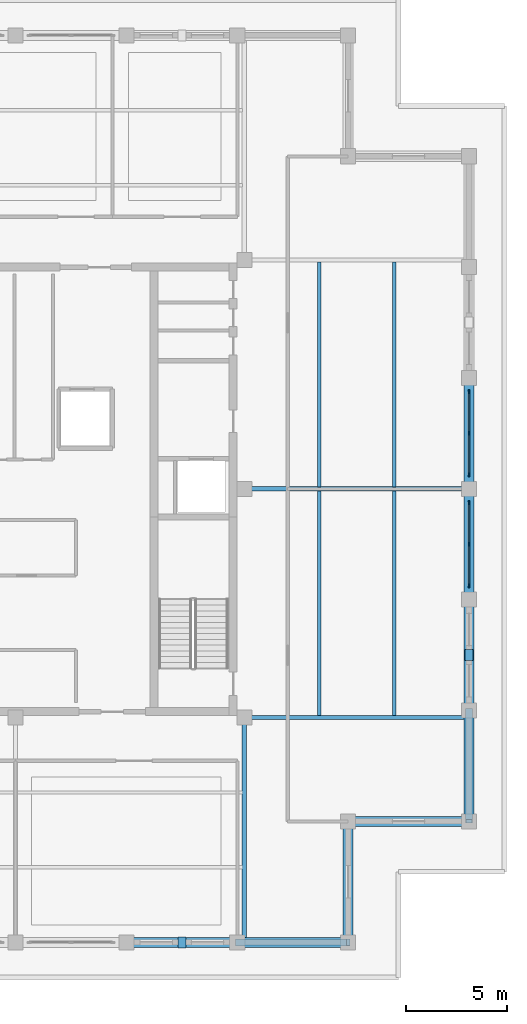
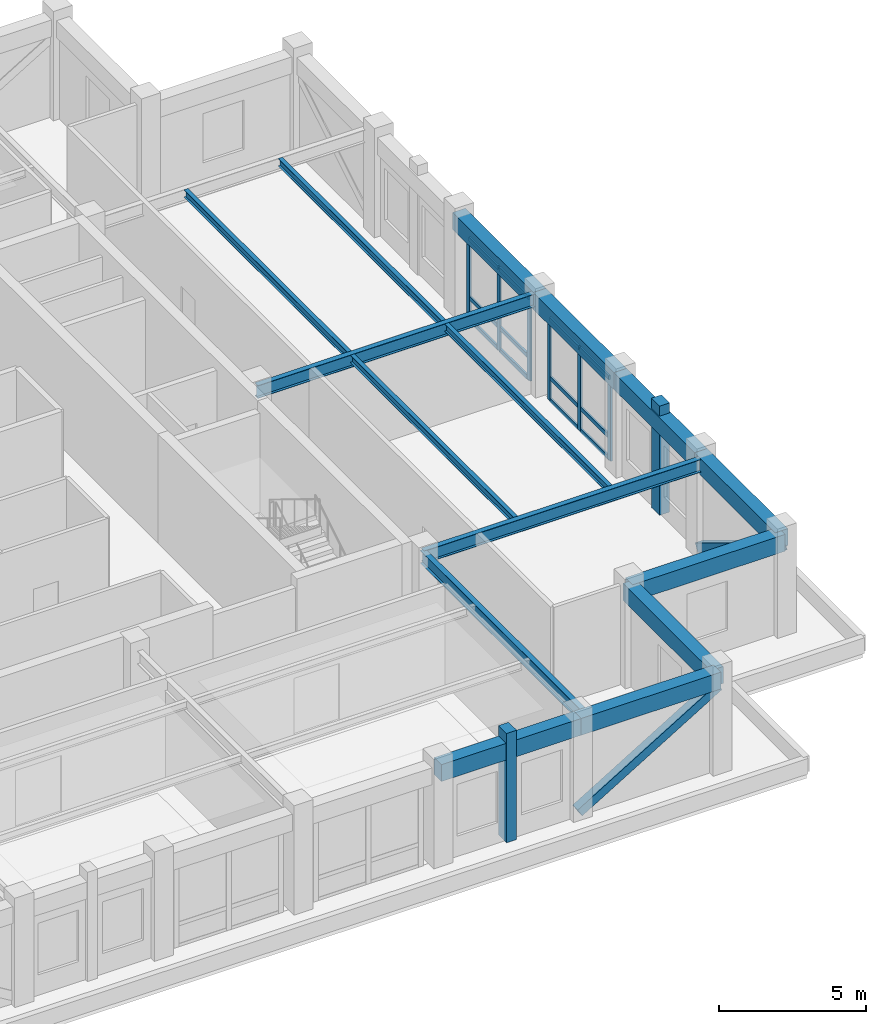
# One storey, part 4 of 13: 22 members, 15 beams, 2 elements without a shape of their own.
"""IFC4 building model written with IfcOpenShell, lengths in metres."""

from ifc_helpers import new_model, si_unit, direction, frame, origin, origin_2d, place, context, subcontext, project, spatial, rectangle, hollow_rectangle, i_section, extrude, material, layer, layer_set, material_profile, profile_set, type_object, element, aggregate, save


model = new_model("IFC4")

# Units and contexts
model_context = context("Model", 3, precision=1e-05, world=origin(), true_north=direction((0.0, 1.0)))
body_context = subcontext(model_context, "Body", "Model", "MODEL_VIEW")
ifc_project = project(units=[si_unit("LENGTHUNIT", "METRE"), si_unit("AREAUNIT", "SQUARE_METRE"), si_unit("VOLUMEUNIT", "CUBIC_METRE"), si_unit("PLANEANGLEUNIT", "RADIAN"), si_unit("MASSUNIT", "GRAM", prefix="KILO")], contexts=[model_context])

# Site, building, storey
site_placement = place(None, origin())
site = spatial("IfcSite", under=ifc_project, at=site_placement, CompositionType="ELEMENT")
building_placement = place(site_placement, origin())
building = spatial("IfcBuilding", under=site, at=building_placement, Name="Nhamokura Convention Tower", CompositionType="ELEMENT")
storey_placement = place(building_placement, frame((0.0, 0.0, 257.60009765625)))
storey = spatial("IfcBuildingStorey", under=building, at=storey_placement, Name="L63", CompositionType="ELEMENT", Elevation=257.60009765625)

# Members
ifc_material_1 = material(Name="Bronze-pigmented precast concrete C45/55", Category="concrete")
ifc_material_profile_1 = material_profile(ifc_material_1, rectangle(XDim=0.39990234375, YDim=0.550048828125, at=origin_2d()))
ifc_profile_set_1 = profile_set([ifc_material_profile_1], Name="Bronze-pigmented precast concrete C45/55")
member_type_1 = type_object("IfcMemberType", Name="BronzePilaster_550", PredefinedType="USERDEFINED", material=ifc_profile_set_1)
for number, where, z_axis, x_axis, name in (
    (1, (40.25, 9.5, 0.0), (0.0, 0.0, 1.0), (1.0, 0.0, 0.0), "L63 Engaged Frame Pilaster SOUTH 4"),
    (2, (54.5, 23.75, 0.0), (0.0, 0.0, 1.0), (1.0, 0.0, 0.0), "L63 Engaged Frame Pilaster EAST 1"),
):
    element("IfcMember", number, at=place(storey_placement, frame(where, z_axis=z_axis, x_axis=x_axis)), inside=storey, type_object=member_type_1, Name=name, ObjectType="PILASTER_TRIM", PredefinedType="USERDEFINED", context=body_context, shape_type="SweptSolid", body=[
        extrude(rectangle(XDim=0.39990234375, YDim=0.550048828125, at=origin_2d()), origin(), (0.0, 0.0, 1.0), 4.5498046875),
    ])

# Curtain wall, members
ifc_material_2 = material(Name="Anodised bronze aluminium AA6063-T6", Category="aluminium")
ifc_layer = layer(ifc_material_2, 0.18994140625)
ifc_layer_set = layer_set([ifc_layer], Name="CWSystem_SkyLobby")
curtain_wall_type = type_object("IfcCurtainWallType", Name="CWSystem_SkyLobby", PredefinedType="NOTDEFINED", material=ifc_layer_set)
curtain_wall_1_placement = place(storey_placement, origin())
curtain_wall_1 = element("IfcCurtainWall", 3, at=curtain_wall_1_placement, inside=storey, type_object=curtain_wall_type, Name="L63 Curtain Wall ENV-L63-CW-E2", PredefinedType="NOTDEFINED")
ifc_material_3 = material(Name="Anodised bronze aluminium AA6063-T6", Category="aluminium")
ifc_material_profile_2 = material_profile(ifc_material_3, rectangle(XDim=0.074951171875, YDim=0.199951171875, at=origin_2d()))
ifc_profile_set_2 = profile_set([ifc_material_profile_2], Name="Anodised bronze aluminium AA6063-T6")
member_type_2 = type_object("IfcMemberType", Name="CWMullion_2", PredefinedType="MULLION", material=ifc_profile_set_2)
member_1_placement = place(storey_placement, frame((54.5, 31.3125, 0.0), z_axis=(0.0, 0.0, 1.0), x_axis=(1.0, 0.0, 0.0)))
member_1 = element("IfcMember", 4, at=member_1_placement, type_object=member_type_2, Name="CW-06 mullion 1", PredefinedType="MULLION", context=body_context, shape_type="SweptSolid", body=[
    extrude(rectangle(XDim=0.074951171875, YDim=0.199951171875, at=origin_2d()), origin(), (0.0, 0.0, 1.0), 3.429931640625),
])
member_2_placement = place(storey_placement, frame((54.5, 29.25, 0.0), z_axis=(0.0, 0.0, 1.0), x_axis=(1.0, 0.0, 0.0)))
member_2 = element("IfcMember", 5, at=member_2_placement, type_object=member_type_2, Name="CW-06 mullion 2", PredefinedType="MULLION", context=body_context, shape_type="SweptSolid", body=[
    extrude(rectangle(XDim=0.074951171875, YDim=0.199951171875, at=origin_2d()), origin(), (0.0, 0.0, 1.0), 3.429931640625),
])
member_3_placement = place(storey_placement, frame((54.5, 27.1875, 0.0), z_axis=(0.0, 0.0, 1.0), x_axis=(1.0, 0.0, 0.0)))
member_3 = element("IfcMember", 6, at=member_3_placement, type_object=member_type_2, Name="CW-06 mullion 3", PredefinedType="MULLION", context=body_context, shape_type="SweptSolid", body=[
    extrude(rectangle(XDim=0.074951171875, YDim=0.199951171875, at=origin_2d()), origin(), (0.0, 0.0, 1.0), 3.429931640625),
])

curtain_wall_2_placement = place(storey_placement, origin())
curtain_wall_2 = element("IfcCurtainWall", 7, at=curtain_wall_2_placement, inside=storey, type_object=curtain_wall_type, Name="L63 Curtain Wall ENV-L63-CW-E3", PredefinedType="NOTDEFINED")
member_4_placement = place(storey_placement, frame((54.5, 36.8125, 0.0), z_axis=(0.0, 0.0, 1.0), x_axis=(1.0, 0.0, 0.0)))
member_4 = element("IfcMember", 8, at=member_4_placement, type_object=member_type_2, Name="CW-06 mullion 1", PredefinedType="MULLION", context=body_context, shape_type="SweptSolid", body=[
    extrude(rectangle(XDim=0.074951171875, YDim=0.199951171875, at=origin_2d()), origin(), (0.0, 0.0, 1.0), 3.429931640625),
])
member_5_placement = place(storey_placement, frame((54.5, 34.75, 0.0), z_axis=(0.0, 0.0, 1.0), x_axis=(1.0, 0.0, 0.0)))
member_5 = element("IfcMember", 9, at=member_5_placement, type_object=member_type_2, Name="CW-06 mullion 2", PredefinedType="MULLION", context=body_context, shape_type="SweptSolid", body=[
    extrude(rectangle(XDim=0.074951171875, YDim=0.199951171875, at=origin_2d()), origin(), (0.0, 0.0, 1.0), 3.429931640625),
])
member_6_placement = place(storey_placement, frame((54.5, 32.6875, 0.0), z_axis=(0.0, 0.0, 1.0), x_axis=(1.0, 0.0, 0.0)))
member_6 = element("IfcMember", 10, at=member_6_placement, type_object=member_type_2, Name="CW-06 mullion 3", PredefinedType="MULLION", context=body_context, shape_type="SweptSolid", body=[
    extrude(rectangle(XDim=0.074951171875, YDim=0.199951171875, at=origin_2d()), origin(), (0.0, 0.0, 1.0), 3.429931640625),
])

# Member
ifc_material_4 = material(Name="Anodised bronze aluminium AA6063-T6", Category="aluminium")
ifc_material_profile_3 = material_profile(ifc_material_4, rectangle(XDim=0.074951171875, YDim=0.169921875, at=origin_2d()))
ifc_profile_set_3 = profile_set([ifc_material_profile_3], Name="Anodised bronze aluminium AA6063-T6")
member_type_3 = type_object("IfcMemberType", Name="CWTransom_2", PredefinedType="USERDEFINED", material=ifc_profile_set_3)
member_7_placement = place(storey_placement, frame((54.5, 31.27490234375, 0.037353515625), z_axis=(0.0, -1.0, 0.0), x_axis=(1.0, 0.0, 0.0)))
member_7 = element("IfcMember", 11, at=member_7_placement, type_object=member_type_3, Name="CW-06 transom 1.1", ObjectType="TRANSOM", PredefinedType="USERDEFINED", context=body_context, shape_type="SweptSolid", body=[
    extrude(rectangle(XDim=0.074951171875, YDim=0.169921875, at=origin_2d()), origin(), (0.0, 0.0, 1.0), 1.9873046875),
])

member_8_placement = place(storey_placement, frame((54.5, 31.27490234375, 0.949951171875), z_axis=(0.0, -1.0, 0.0), x_axis=(1.0, 0.0, 0.0)))
member_8 = element("IfcMember", 12, at=member_8_placement, type_object=member_type_3, Name="CW-06 transom 1.2", ObjectType="TRANSOM", PredefinedType="USERDEFINED", context=body_context, shape_type="SweptSolid", body=[
    extrude(rectangle(XDim=0.074951171875, YDim=0.169921875, at=origin_2d()), origin(), (0.0, 0.0, 1.0), 1.9873046875),
])

member_9_placement = place(storey_placement, frame((54.5, 31.27490234375, 3.392333984375), z_axis=(0.0, -1.0, 0.0), x_axis=(1.0, 0.0, 0.0)))
member_9 = element("IfcMember", 13, at=member_9_placement, type_object=member_type_3, Name="CW-06 transom 1.3", ObjectType="TRANSOM", PredefinedType="USERDEFINED", context=body_context, shape_type="SweptSolid", body=[
    extrude(rectangle(XDim=0.074951171875, YDim=0.169921875, at=origin_2d()), origin(), (0.0, 0.0, 1.0), 1.9873046875),
])

member_10_placement = place(storey_placement, frame((54.5, 29.21240234375, 0.037353515625), z_axis=(0.0, -1.0, 0.0), x_axis=(1.0, 0.0, 0.0)))
member_10 = element("IfcMember", 14, at=member_10_placement, type_object=member_type_3, Name="CW-06 transom 2.1", ObjectType="TRANSOM", PredefinedType="USERDEFINED", context=body_context, shape_type="SweptSolid", body=[
    extrude(rectangle(XDim=0.074951171875, YDim=0.169921875, at=origin_2d()), origin(), (0.0, 0.0, 1.0), 1.9873046875),
])

member_11_placement = place(storey_placement, frame((54.5, 29.21240234375, 0.949951171875), z_axis=(0.0, -1.0, 0.0), x_axis=(1.0, 0.0, 0.0)))
member_11 = element("IfcMember", 15, at=member_11_placement, type_object=member_type_3, Name="CW-06 transom 2.2", ObjectType="TRANSOM", PredefinedType="USERDEFINED", context=body_context, shape_type="SweptSolid", body=[
    extrude(rectangle(XDim=0.074951171875, YDim=0.169921875, at=origin_2d()), origin(), (0.0, 0.0, 1.0), 1.9873046875),
])

member_12_placement = place(storey_placement, frame((54.5, 29.21240234375, 3.392333984375), z_axis=(0.0, -1.0, 0.0), x_axis=(1.0, 0.0, 0.0)))
member_12 = element("IfcMember", 16, at=member_12_placement, type_object=member_type_3, Name="CW-06 transom 2.3", ObjectType="TRANSOM", PredefinedType="USERDEFINED", context=body_context, shape_type="SweptSolid", body=[
    extrude(rectangle(XDim=0.074951171875, YDim=0.169921875, at=origin_2d()), origin(), (0.0, 0.0, 1.0), 1.9873046875),
])

aggregate(curtain_wall_1, [member_1, member_2, member_3, member_7, member_8, member_9, member_10, member_11, member_12])

member_13_placement = place(storey_placement, frame((54.5, 36.77490234375, 0.037353515625), z_axis=(0.0, -1.0, 0.0), x_axis=(1.0, 0.0, 0.0)))
member_13 = element("IfcMember", 17, at=member_13_placement, type_object=member_type_3, Name="CW-06 transom 1.1", ObjectType="TRANSOM", PredefinedType="USERDEFINED", context=body_context, shape_type="SweptSolid", body=[
    extrude(rectangle(XDim=0.074951171875, YDim=0.169921875, at=origin_2d()), origin(), (0.0, 0.0, 1.0), 1.9873046875),
])

member_14_placement = place(storey_placement, frame((54.5, 36.77490234375, 0.949951171875), z_axis=(0.0, -1.0, 0.0), x_axis=(1.0, 0.0, 0.0)))
member_14 = element("IfcMember", 18, at=member_14_placement, type_object=member_type_3, Name="CW-06 transom 1.2", ObjectType="TRANSOM", PredefinedType="USERDEFINED", context=body_context, shape_type="SweptSolid", body=[
    extrude(rectangle(XDim=0.074951171875, YDim=0.169921875, at=origin_2d()), origin(), (0.0, 0.0, 1.0), 1.9873046875),
])

member_15_placement = place(storey_placement, frame((54.5, 36.77490234375, 3.392333984375), z_axis=(0.0, -1.0, 0.0), x_axis=(1.0, 0.0, 0.0)))
member_15 = element("IfcMember", 19, at=member_15_placement, type_object=member_type_3, Name="CW-06 transom 1.3", ObjectType="TRANSOM", PredefinedType="USERDEFINED", context=body_context, shape_type="SweptSolid", body=[
    extrude(rectangle(XDim=0.074951171875, YDim=0.169921875, at=origin_2d()), origin(), (0.0, 0.0, 1.0), 1.9873046875),
])

member_16_placement = place(storey_placement, frame((54.5, 34.71240234375, 0.037353515625), z_axis=(0.0, -1.0, 0.0), x_axis=(1.0, 0.0, 0.0)))
member_16 = element("IfcMember", 20, at=member_16_placement, type_object=member_type_3, Name="CW-06 transom 2.1", ObjectType="TRANSOM", PredefinedType="USERDEFINED", context=body_context, shape_type="SweptSolid", body=[
    extrude(rectangle(XDim=0.074951171875, YDim=0.169921875, at=origin_2d()), origin(), (0.0, 0.0, 1.0), 1.9873046875),
])

member_17_placement = place(storey_placement, frame((54.5, 34.71240234375, 0.949951171875), z_axis=(0.0, -1.0, 0.0), x_axis=(1.0, 0.0, 0.0)))
member_17 = element("IfcMember", 21, at=member_17_placement, type_object=member_type_3, Name="CW-06 transom 2.2", ObjectType="TRANSOM", PredefinedType="USERDEFINED", context=body_context, shape_type="SweptSolid", body=[
    extrude(rectangle(XDim=0.074951171875, YDim=0.169921875, at=origin_2d()), origin(), (0.0, 0.0, 1.0), 1.9873046875),
])

member_18_placement = place(storey_placement, frame((54.5, 34.71240234375, 3.392333984375), z_axis=(0.0, -1.0, 0.0), x_axis=(1.0, 0.0, 0.0)))
member_18 = element("IfcMember", 22, at=member_18_placement, type_object=member_type_3, Name="CW-06 transom 2.3", ObjectType="TRANSOM", PredefinedType="USERDEFINED", context=body_context, shape_type="SweptSolid", body=[
    extrude(rectangle(XDim=0.074951171875, YDim=0.169921875, at=origin_2d()), origin(), (0.0, 0.0, 1.0), 1.9873046875),
])

aggregate(curtain_wall_2, [member_4, member_5, member_6, member_13, member_14, member_15, member_16, member_17, member_18])

# Beams
ifc_material_5 = material(Name="Steel ASTM A992 Gr 50", Category="steel")
ifc_material_profile_4 = material_profile(ifc_material_5, i_section(OverallWidth=0.166015625, OverallDepth=0.31298828125, WebThickness=0.006591796875, FlangeThickness=0.01123046875, at=origin_2d()))
ifc_profile_set_4 = profile_set([ifc_material_profile_4], Name="Steel ASTM A992 Gr 50")
beam_type_1 = type_object("IfcBeamType", Name="FloorJoist_W310X45", PredefinedType="JOIST", material=ifc_profile_set_4)
for number, where, z_axis, x_axis, name in (
    (23, (47.066650390625, 20.75244140625, 3.973388671875), (0.0, 1.0, 0.0), (-1.0, 0.0, 0.0), "L63 Composite Floor Joist E1A"),
    (24, (47.066650390625, 32.1025390625, 3.973388671875), (0.0, 1.0, 0.0), (-1.0, 0.0, 0.0), "L63 Composite Floor Joist E1B"),
    (25, (50.783203125, 20.75244140625, 3.973388671875), (0.0, 1.0, 0.0), (-1.0, 0.0, 0.0), "L63 Composite Floor Joist E2A"),
    (26, (50.783203125, 32.1025390625, 3.973388671875), (0.0, 1.0, 0.0), (-1.0, 0.0, 0.0), "L63 Composite Floor Joist E2B"),
):
    element("IfcBeam", number, at=place(storey_placement, frame(where, z_axis=z_axis, x_axis=x_axis)), inside=storey, type_object=beam_type_1, Name=name, PredefinedType="JOIST", context=body_context, shape_type="SweptSolid", body=[
        extrude(i_section(OverallWidth=0.166015625, OverallDepth=0.31298828125, WebThickness=0.006591796875, FlangeThickness=0.01123046875, at=origin_2d()), origin(), (0.0, 0.0, 1.0), 11.14501953125),
    ])
ifc_material_6 = material(Name="Steel ASTM A992 Gr 50", Category="steel")
ifc_material_profile_5 = material_profile(ifc_material_6, i_section(OverallWidth=0.208984375, OverallDepth=0.532958984375, WebThickness=0.01025390625, FlangeThickness=0.015625, at=origin_2d()))
ifc_profile_set_5 = profile_set([ifc_material_profile_5], Name="Steel ASTM A992 Gr 50")
beam_type_2 = type_object("IfcBeamType", Name="PrimaryGirder_W530X92", PredefinedType="BEAM", material=ifc_profile_set_5)
for number, where, z_axis, x_axis, name in (
    (27, (43.35009765625, 9.5, 3.86328125), (0.0, 1.0, 0.0), (-1.0, 0.0, 0.0), "L63 Primary Floor Girder PG-S3"),
    (28, (43.35009765625, 20.64990234375, 3.86328125), (1.0, 0.0, 0.0), (0.0, 1.0, 0.0), "L63 Primary Floor Girder PG-E1"),
    (29, (43.35009765625, 32.0, 3.86328125), (1.0, 0.0, 0.0), (0.0, 1.0, 0.0), "L63 Primary Floor Girder PG-E2"),
):
    element("IfcBeam", number, at=place(storey_placement, frame(where, z_axis=z_axis, x_axis=x_axis)), inside=storey, type_object=beam_type_2, Name=name, PredefinedType="BEAM", context=body_context, shape_type="SweptSolid", body=[
        extrude(i_section(OverallWidth=0.208984375, OverallDepth=0.532958984375, WebThickness=0.01025390625, FlangeThickness=0.015625, at=origin_2d()), origin(), (0.0, 0.0, 1.0), 11.14990234375),
    ])

# Members
ifc_material_7 = material(Name="Steel ASTM A572 Gr 50", Category="steel")
ifc_material_profile_6 = material_profile(ifc_material_7, hollow_rectangle(XDim=0.35009765625, YDim=0.35009765625, WallThickness=0.01611328125, at=origin_2d()))
ifc_profile_set_6 = profile_set([ifc_material_profile_6], Name="Steel ASTM A572 Gr 50")
member_type_4 = type_object("IfcMemberType", Name="TubeBrace_HSS350", PredefinedType="BRACE", material=ifc_profile_set_6)
for number, where, z_axis, x_axis, name in (
    (30, (43.0, 9.5, 0.14990234375), (0.855422163268, 0.0, 0.517931387916), (0.0, 1.0, 0.0), "L63 Perimeter Tube Brace SOUTH Bay 5"),
    (31, (54.5, 21.0, 0.14990234375), (0.0, -0.855422163268, 0.517931387916), (1.0, 0.0, 0.0), "L63 Perimeter Tube Brace EAST Bay 0"),
):
    element("IfcMember", number, at=place(storey_placement, frame(where, z_axis=z_axis, x_axis=x_axis)), inside=storey, type_object=member_type_4, Name=name, PredefinedType="BRACE", context=body_context, shape_type="SweptSolid", body=[
        extrude(hollow_rectangle(XDim=0.35009765625, YDim=0.35009765625, WallThickness=0.01611328125, at=origin_2d()), origin(), (0.0, 0.0, 1.0), 6.4296875),
    ])

# Beams
ifc_material_8 = material(Name="Concrete C50/60", Category="concrete")
ifc_material_profile_7 = material_profile(ifc_material_8, rectangle(XDim=0.5, YDim=0.699951171875, at=origin_2d()))
ifc_profile_set_7 = profile_set([ifc_material_profile_7], Name="Concrete C50/60")
beam_type_3 = type_object("IfcBeamType", Name="TubeSpandrel_700", PredefinedType="SPANDREL", material=ifc_profile_set_7)
for number, where, z_axis, x_axis, name in (
    (32, (37.5, 9.5, 3.77978515625), (1.0, 0.0, 0.0), (0.0, 1.0, 0.0), "L63 Perimeter Spandrel SOUTH 5"),
    (33, (43.0, 9.5, 3.77978515625), (1.0, 0.0, 0.0), (0.0, 1.0, 0.0), "L63 Perimeter Spandrel SOUTH 6"),
    (34, (54.5, 15.5, 3.77978515625), (0.0, 1.0, 0.0), (-1.0, 0.0, 0.0), "L63 Perimeter Spandrel EAST 1"),
    (35, (54.5, 21.0, 3.77978515625), (0.0, 1.0, 0.0), (-1.0, 0.0, 0.0), "L63 Perimeter Spandrel EAST 2"),
    (36, (54.5, 26.5, 3.77978515625), (0.0, 1.0, 0.0), (-1.0, 0.0, 0.0), "L63 Perimeter Spandrel EAST 3"),
    (37, (54.5, 32.0, 3.77978515625), (0.0, 1.0, 0.0), (-1.0, 0.0, 0.0), "L63 Perimeter Spandrel EAST 4"),
):
    element("IfcBeam", number, at=place(storey_placement, frame(where, z_axis=z_axis, x_axis=x_axis)), inside=storey, type_object=beam_type_3, Name=name, PredefinedType="SPANDREL", context=body_context, shape_type="SweptSolid", body=[
        extrude(rectangle(XDim=0.5, YDim=0.699951171875, at=origin_2d()), origin(), (0.0, 0.0, 1.0), 5.5),
    ])
for number, where, z_axis, x_axis, name in (
    (38, (48.5, 9.5, 3.77978515625), (0.0, 1.0, 0.0), (-1.0, 0.0, 0.0), "L63 Notch Spandrel SE1"),
    (39, (48.5, 15.5, 3.77978515625), (1.0, 0.0, 0.0), (0.0, 1.0, 0.0), "L63 Notch Spandrel SE2"),
):
    element("IfcBeam", number, at=place(storey_placement, frame(where, z_axis=z_axis, x_axis=x_axis)), inside=storey, type_object=beam_type_3, Name=name, PredefinedType="SPANDREL", context=body_context, shape_type="SweptSolid", body=[
        extrude(rectangle(XDim=0.5, YDim=0.699951171875, at=origin_2d()), origin(), (0.0, 0.0, 1.0), 6.0),
    ])

save(model, "model.ifc")
